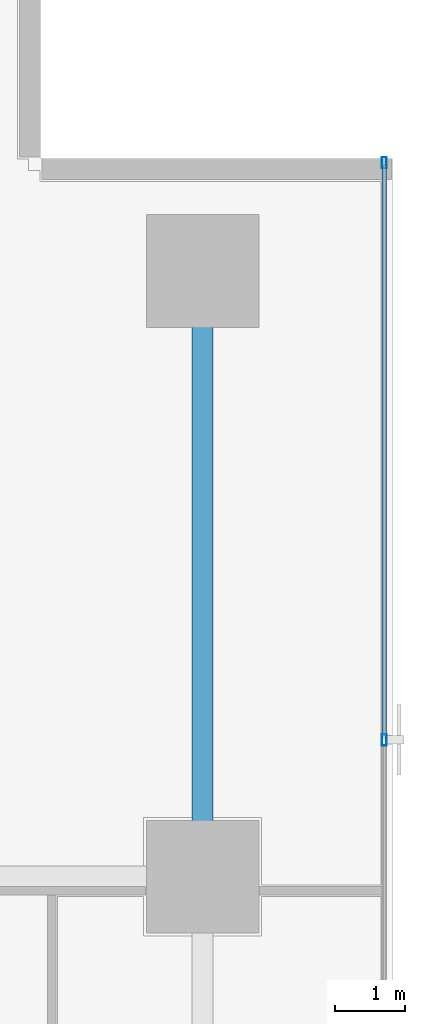
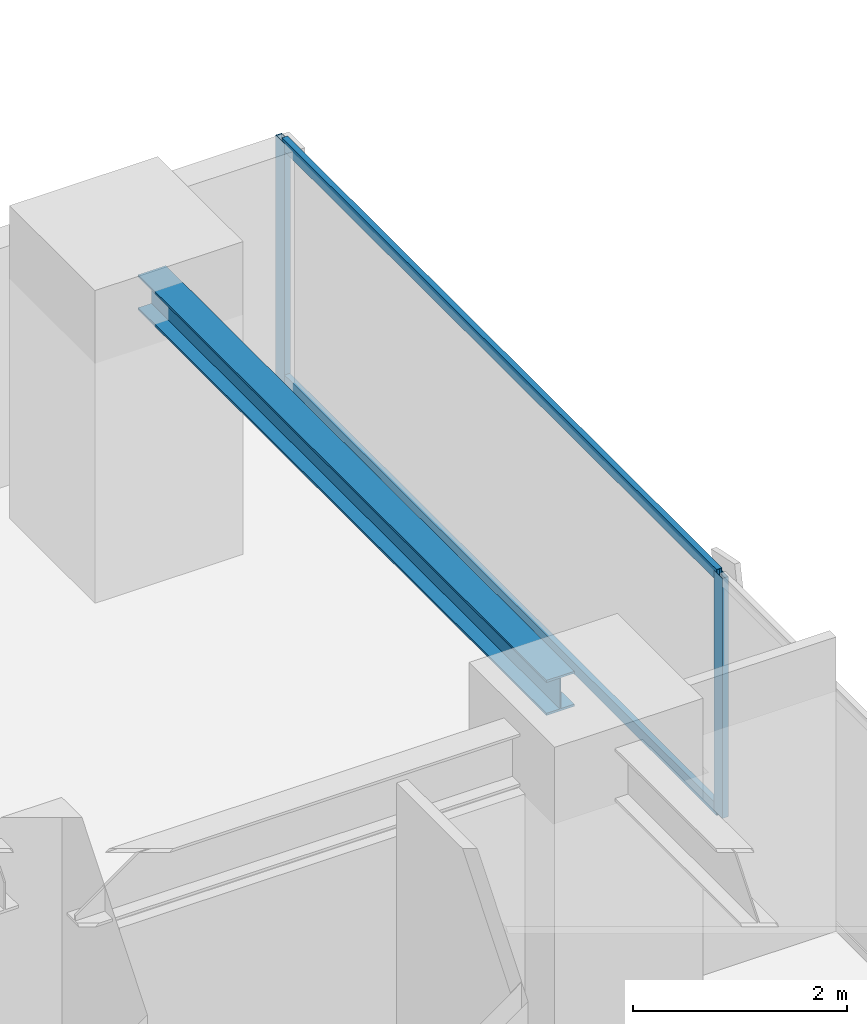
# One storey, part 24 of 37: 4 members, 1 beam, 1 element without a shape of its own.
"""IFC4 building model written with IfcOpenShell, lengths in metres."""

from ifc_helpers import new_model, si_unit, direction, frame, origin, origin_2d, place, context, subcontext, project, spatial, hollow_rectangle, i_section, extrude, source, transform, mapped, material, layer, layer_set, material_profile, profile_set, type_object, element, aggregate, save


model = new_model("IFC4")

# Units and contexts
model_context = context("Model", 3, precision=1e-05, world=origin(), true_north=direction((0.0, 1.0)))
body_context = subcontext(model_context, "Body", "Model", "MODEL_VIEW")
ifc_project = project(units=[si_unit("LENGTHUNIT", "METRE"), si_unit("AREAUNIT", "SQUARE_METRE"), si_unit("VOLUMEUNIT", "CUBIC_METRE"), si_unit("PLANEANGLEUNIT", "RADIAN"), si_unit("MASSUNIT", "GRAM", prefix="KILO")], contexts=[model_context])

# Site, building, storey
site_placement = place(None, origin())
site = spatial("IfcSite", under=ifc_project, at=site_placement, CompositionType="ELEMENT")
building_placement = place(site_placement, origin())
building = spatial("IfcBuilding", under=site, at=building_placement, Name="Sumidabori Civic Tower", CompositionType="ELEMENT")
storey_placement = place(building_placement, frame((0.0, 0.0, 81.199951171875)))
storey = spatial("IfcBuildingStorey", under=building, at=storey_placement, Name="L20", CompositionType="ELEMENT", Elevation=81.199951171875)

# Beam
ifc_material_1 = material(Name="Steel SN490", Category="steel")
ifc_material_profile_1 = material_profile(ifc_material_1, i_section(OverallWidth=0.300048828125, OverallDepth=0.39990234375, WebThickness=0.013427734375, FlangeThickness=0.02392578125, at=origin_2d()), Name="HE 400 B")
ifc_profile_set_1 = profile_set([ifc_material_profile_1], Name="Steel SN490")
beam_type = type_object("IfcBeamType", Name="BM-GIRD-400", PredefinedType="BEAM", material=ifc_profile_set_1)
shared_shape_1 = source(origin(), body_context, "Body", "SweptSolid", [
    extrude(i_section(OverallWidth=0.300048828125, OverallDepth=0.39990234375, WebThickness=0.013427734375, FlangeThickness=0.02392578125, at=origin_2d()), origin(), (0.0, 0.0, 1.0), 7.64013671875),
])
beam_placement = place(storey_placement, frame((22.800048828125, 10.679931640625, 3.16015625), z_axis=(0.0, 1.0, 0.0), x_axis=(-1.0, 0.0, 0.0)))
element("IfcBeam", 1, at=beam_placement, inside=storey, type_object=beam_type, Name="Primary Girder L20 GY-42", PredefinedType="BEAM", context=body_context, shape_type="MappedRepresentation", body=[
    mapped(shared_shape_1, transform((0.0, 0.0, 0.0), x_axis=(1.0, 0.0, 0.0), y_axis=(0.0, 1.0, 0.0), z_axis=(0.0, 0.0, 1.0), scale=1.0)),
])

# Curtain wall, members
ifc_material_2 = material(Name="Anodised Bronze Aluminium AW-6063-T6", Category="aluminium")
ifc_layer = layer(ifc_material_2, 0.179931640625, Name="Anodised Bronze Aluminium AW-6063-T6")
ifc_layer_set = layer_set([ifc_layer], Name="Anodised Bronze Aluminium AW-6063-T6")
curtain_wall_type = type_object("IfcCurtainWallType", Name="CW-SYS-3", PredefinedType="NOTDEFINED", material=ifc_layer_set)
curtain_wall_placement = place(storey_placement, origin())
curtain_wall = element("IfcCurtainWall", 2, at=curtain_wall_placement, inside=storey, type_object=curtain_wall_type, Name="Curtain Wall CW:L20:R04", PredefinedType="NOTDEFINED")
ifc_material_profile_2 = material_profile(ifc_material_2, hollow_rectangle(XDim=0.06494140625, YDim=0.159912109375, WallThickness=0.0048828125, at=origin_2d()), Name="ALU MULLION 160x65")
ifc_profile_set_2 = profile_set([ifc_material_profile_2], Name="Anodised Bronze Aluminium AW-6063-T6")
member_type_1 = type_object("IfcMemberType", Name="CW-MUL-160", PredefinedType="MULLION", material=ifc_profile_set_2)
shared_shape_2 = source(origin(), body_context, "Body", "SweptSolid", [
    extrude(hollow_rectangle(XDim=0.06494140625, YDim=0.159912109375, WallThickness=0.0048828125, at=origin_2d()), origin(), (0.0, 0.0, 1.0), 2.739990234375),
])
member_1_placement = place(storey_placement, frame((25.3798828125, 12.14208984375, 0.0), z_axis=(0.0, 0.0, 1.0), x_axis=(-1.0, 0.0, 0.0)))
member_1 = element("IfcMember", 3, at=member_1_placement, type_object=member_type_1, Name="CW-3 mullion 5", PredefinedType="MULLION", context=body_context, shape_type="MappedRepresentation", body=[
    mapped(shared_shape_2, transform((0.0, 0.0, 0.0), x_axis=(1.0, 0.0, 0.0), y_axis=(0.0, 1.0, 0.0), z_axis=(0.0, 0.0, 1.0), scale=1.0)),
])
member_2_placement = place(storey_placement, frame((25.3798828125, 20.33740234375, 0.0), z_axis=(0.0, 0.0, 1.0), x_axis=(-1.0, 0.0, 0.0)))
member_2 = element("IfcMember", 4, at=member_2_placement, type_object=member_type_1, Name="CW-3 mullion 6", PredefinedType="MULLION", context=body_context, shape_type="MappedRepresentation", body=[
    mapped(shared_shape_2, transform((0.0, 0.0, 0.0), x_axis=(1.0, 0.0, 0.0), y_axis=(0.0, 1.0, 0.0), z_axis=(0.0, 0.0, 1.0), scale=1.0)),
])
ifc_material_profile_3 = material_profile(ifc_material_2, hollow_rectangle(XDim=0.06005859375, YDim=0.1298828125, WallThickness=0.0048828125, at=origin_2d()), Name="ALU TRANSOM 130x60")
ifc_profile_set_3 = profile_set([ifc_material_profile_3], Name="Anodised Bronze Aluminium AW-6063-T6")
member_type_2 = type_object("IfcMemberType", Name="CW-TRN-130", PredefinedType="USERDEFINED", material=ifc_profile_set_3)
shared_shape_3 = source(origin(), body_context, "Body", "SweptSolid", [
    extrude(hollow_rectangle(XDim=0.06005859375, YDim=0.1298828125, WallThickness=0.0048828125, at=origin_2d()), origin(), (0.0, 0.0, 1.0), 8.13037109375),
])
member_3_placement = place(storey_placement, frame((25.3798828125, 12.174560546875, 0.030029296875), z_axis=(0.0, 1.0, 0.0), x_axis=(-1.0, 0.0, 0.0)))
member_3 = element("IfcMember", 5, at=member_3_placement, type_object=member_type_2, Name="CW-3 transom 5.1", ObjectType="TRANSOM", PredefinedType="USERDEFINED", context=body_context, shape_type="MappedRepresentation", body=[
    mapped(shared_shape_3, transform((0.0, 0.0, 0.0), x_axis=(1.0, 0.0, 0.0), y_axis=(0.0, 1.0, 0.0), z_axis=(0.0, 0.0, 1.0), scale=1.0)),
])
member_4_placement = place(storey_placement, frame((25.3798828125, 12.174560546875, 2.7099609375), z_axis=(0.0, 1.0, 0.0), x_axis=(-1.0, 0.0, 0.0)))
member_4 = element("IfcMember", 6, at=member_4_placement, type_object=member_type_2, Name="CW-3 transom 5.2", ObjectType="TRANSOM", PredefinedType="USERDEFINED", context=body_context, shape_type="MappedRepresentation", body=[
    mapped(shared_shape_3, transform((0.0, 0.0, 0.0), x_axis=(1.0, 0.0, 0.0), y_axis=(0.0, 1.0, 0.0), z_axis=(0.0, 0.0, 1.0), scale=1.0)),
])
aggregate(curtain_wall, [member_1, member_2, member_3, member_4])

save(model, "model.ifc")
